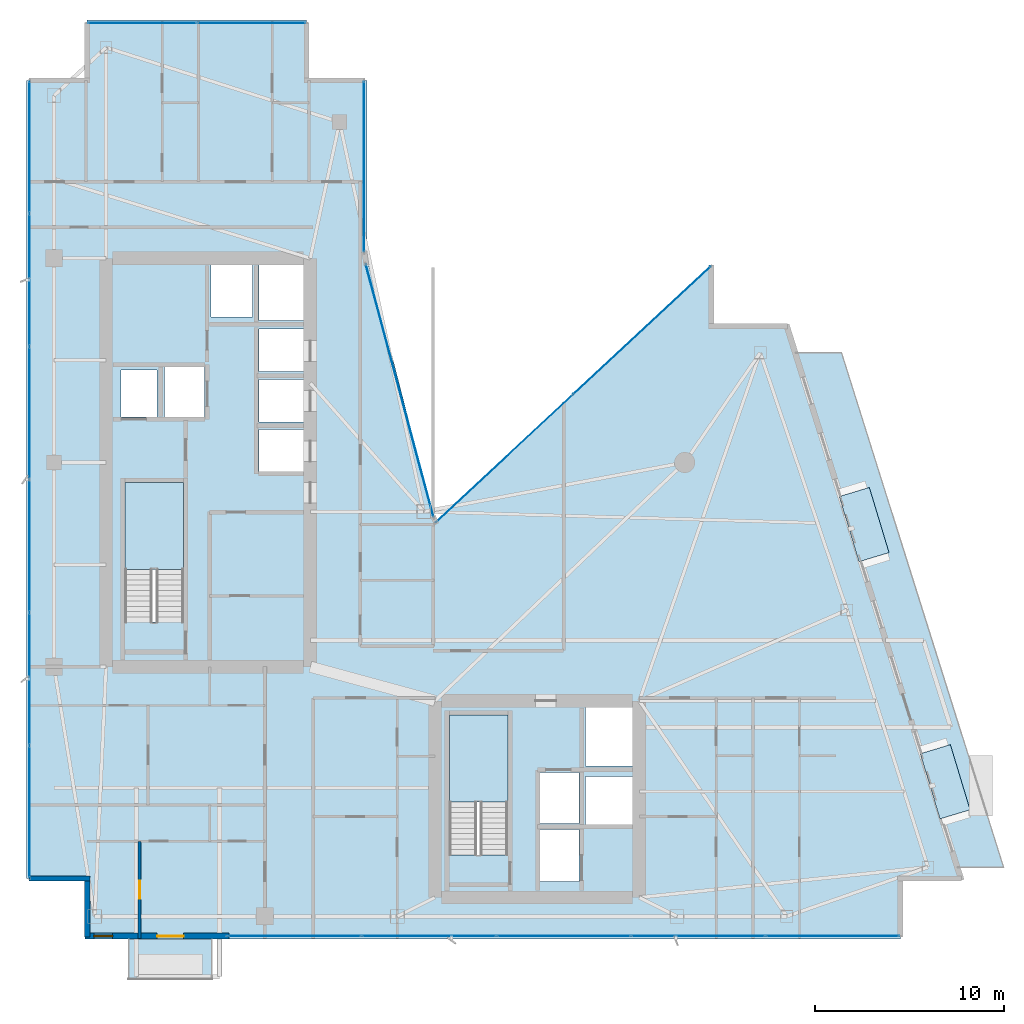
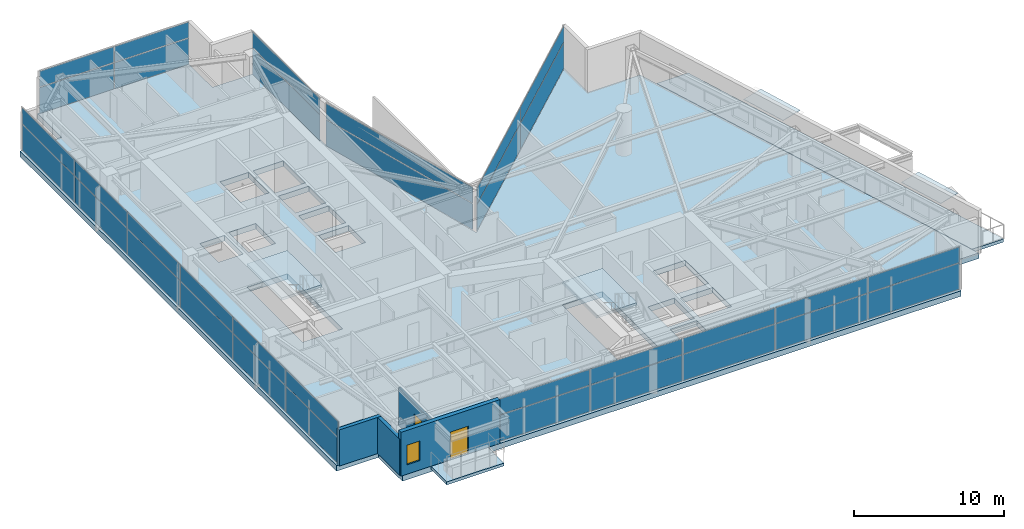
# One storey, part 21 of 28: 36 plates, 5 slabs, 4 walls, 2 doors, 1 window, 3 openings, 8 elements without a shape of their own.
"""IFC4 building model written with IfcOpenShell, lengths in metres."""

from ifc_helpers import new_model, si_unit, direction, frame, frame_2d, origin, origin_2d, place, context, subcontext, project, spatial, polyline, rectangle, outline, extrude, material, layer, layer_set, type_object, element, fill, aggregate, save


model = new_model("IFC4")

# Units and contexts
model_context = context("Model", 3, precision=1e-05, world=origin(), true_north=direction((0.0, 1.0)))
body_context = subcontext(model_context, "Body", "Model", "MODEL_VIEW")
ifc_project = project(units=[si_unit("LENGTHUNIT", "METRE"), si_unit("AREAUNIT", "SQUARE_METRE"), si_unit("VOLUMEUNIT", "CUBIC_METRE"), si_unit("PLANEANGLEUNIT", "RADIAN"), si_unit("MASSUNIT", "GRAM", prefix="KILO")], contexts=[model_context])

# Site, building, storey
site_placement = place(None, origin())
site = spatial("IfcSite", under=ifc_project, at=site_placement, CompositionType="ELEMENT")
building_placement = place(site_placement, origin())
building = spatial("IfcBuilding", under=site, at=building_placement, Name="Calvorn Quay Hotel", CompositionType="ELEMENT")
storey_placement = place(building_placement, frame((0.0, 0.0, 219.300048828125)))
storey = spatial("IfcBuildingStorey", under=building, at=storey_placement, Name="L54", CompositionType="ELEMENT", Elevation=219.300048828125)

# Curtain wall, plates
ifc_material_1 = material(Name="Champagne Bronze Anodised Aluminium and Low-E Glass", Category="aluminium")
ifc_layer_1 = layer(ifc_material_1, 0.219970703125)
ifc_layer_set_1 = layer_set([ifc_layer_1], Name="CW-SYS-Z3")
curtain_wall_type = type_object("IfcCurtainWallType", Name="CW-SYS-Z3", PredefinedType="NOTDEFINED", material=ifc_layer_set_1)
curtain_wall_1_placement = place(storey_placement, origin())
curtain_wall_1 = element("IfcCurtainWall", 1, at=curtain_wall_1_placement, inside=storey, type_object=curtain_wall_type, Name="Tower West Curtain Wall (L54)", PredefinedType="NOTDEFINED")
ifc_material_2 = material(Name="Low-E Laminated Double Glazing", Category="glass")
ifc_layer_2 = layer(ifc_material_2, 0.028076171875)
ifc_layer_set_2 = layer_set([ifc_layer_2], Name="CW-SYS-Z3-PAN")
plate_type_1 = type_object("IfcPlateType", Name="CW-SYS-Z3-PAN", PredefinedType="CURTAIN_PANEL", material=ifc_layer_set_2)
plate_1_placement = place(storey_placement, frame((0.14990234375, 9.131591796875, 0.06005859375), z_axis=(0.0, 0.0, 1.0), x_axis=(0.0, 1.0, 0.0)))
plate_1 = element("IfcPlate", 2, at=plate_1_placement, type_object=plate_type_1, Name="CW-L54-W panel 1.1", PredefinedType="CURTAIN_PANEL", context=body_context, shape_type="SweptSolid", body=[
    extrude(rectangle(XDim=6.943359375, YDim=0.028076171875, at=origin_2d()), origin(), (0.0, 0.0, 1.0), 2.110107421875),
])
plate_2_placement = place(storey_placement, frame((0.14990234375, 9.131591796875, 2.22998046875), z_axis=(0.0, 0.0, 1.0), x_axis=(0.0, 1.0, 0.0)))
plate_2 = element("IfcPlate", 3, at=plate_2_placement, type_object=plate_type_1, Name="CW-L54-W panel 1.2", PredefinedType="CURTAIN_PANEL", context=body_context, shape_type="SweptSolid", body=[
    extrude(rectangle(XDim=6.943359375, YDim=0.028076171875, at=origin_2d()), origin(), (0.0, 0.0, 1.0), 1.27001953125),
])
plate_3_placement = place(storey_placement, frame((0.14990234375, 16.14990234375, 0.06005859375), z_axis=(0.0, 0.0, 1.0), x_axis=(0.0, 1.0, 0.0)))
plate_3 = element("IfcPlate", 4, at=plate_3_placement, type_object=plate_type_1, Name="CW-L54-W panel 2.1", PredefinedType="CURTAIN_PANEL", context=body_context, shape_type="SweptSolid", body=[
    extrude(rectangle(XDim=6.973388671875, YDim=0.028076171875, at=origin_2d()), origin(), (0.0, 0.0, 1.0), 2.110107421875),
])
plate_4_placement = place(storey_placement, frame((0.14990234375, 16.14990234375, 2.22998046875), z_axis=(0.0, 0.0, 1.0), x_axis=(0.0, 1.0, 0.0)))
plate_4 = element("IfcPlate", 5, at=plate_4_placement, type_object=plate_type_1, Name="CW-L54-W panel 2.2", PredefinedType="CURTAIN_PANEL", context=body_context, shape_type="SweptSolid", body=[
    extrude(rectangle(XDim=6.973388671875, YDim=0.028076171875, at=origin_2d()), origin(), (0.0, 0.0, 1.0), 1.27001953125),
])
plate_5_placement = place(storey_placement, frame((0.14990234375, 23.183349609375, 0.06005859375), z_axis=(0.0, 0.0, 1.0), x_axis=(0.0, 1.0, 0.0)))
plate_5 = element("IfcPlate", 6, at=plate_5_placement, type_object=plate_type_1, Name="CW-L54-W panel 3.1", PredefinedType="CURTAIN_PANEL", context=body_context, shape_type="SweptSolid", body=[
    extrude(rectangle(XDim=6.973388671875, YDim=0.028076171875, at=origin_2d()), origin(), (0.0, 0.0, 1.0), 2.110107421875),
])
plate_6_placement = place(storey_placement, frame((0.14990234375, 23.183349609375, 2.22998046875), z_axis=(0.0, 0.0, 1.0), x_axis=(0.0, 1.0, 0.0)))
plate_6 = element("IfcPlate", 7, at=plate_6_placement, type_object=plate_type_1, Name="CW-L54-W panel 3.2", PredefinedType="CURTAIN_PANEL", context=body_context, shape_type="SweptSolid", body=[
    extrude(rectangle(XDim=6.973388671875, YDim=0.028076171875, at=origin_2d()), origin(), (0.0, 0.0, 1.0), 1.27001953125),
])
plate_7_placement = place(storey_placement, frame((0.14990234375, 30.216552734375, 0.06005859375), z_axis=(0.0, 0.0, 1.0), x_axis=(0.0, 1.0, 0.0)))
plate_7 = element("IfcPlate", 8, at=plate_7_placement, type_object=plate_type_1, Name="CW-L54-W panel 4.1", PredefinedType="CURTAIN_PANEL", context=body_context, shape_type="SweptSolid", body=[
    extrude(rectangle(XDim=6.973388671875, YDim=0.028076171875, at=origin_2d()), origin(), (0.0, 0.0, 1.0), 2.110107421875),
])
plate_8_placement = place(storey_placement, frame((0.14990234375, 30.216552734375, 2.22998046875), z_axis=(0.0, 0.0, 1.0), x_axis=(0.0, 1.0, 0.0)))
plate_8 = element("IfcPlate", 9, at=plate_8_placement, type_object=plate_type_1, Name="CW-L54-W panel 4.2", PredefinedType="CURTAIN_PANEL", context=body_context, shape_type="SweptSolid", body=[
    extrude(rectangle(XDim=6.973388671875, YDim=0.028076171875, at=origin_2d()), origin(), (0.0, 0.0, 1.0), 1.27001953125),
])
plate_9_placement = place(storey_placement, frame((0.14990234375, 37.25, 0.06005859375), z_axis=(0.0, 0.0, 1.0), x_axis=(0.0, 1.0, 0.0)))
plate_9 = element("IfcPlate", 10, at=plate_9_placement, type_object=plate_type_1, Name="CW-L54-W panel 5.1", PredefinedType="CURTAIN_PANEL", context=body_context, shape_type="SweptSolid", body=[
    extrude(rectangle(XDim=6.973388671875, YDim=0.028076171875, at=origin_2d()), origin(), (0.0, 0.0, 1.0), 2.110107421875),
])
plate_10_placement = place(storey_placement, frame((0.14990234375, 37.25, 2.22998046875), z_axis=(0.0, 0.0, 1.0), x_axis=(0.0, 1.0, 0.0)))
plate_10 = element("IfcPlate", 11, at=plate_10_placement, type_object=plate_type_1, Name="CW-L54-W panel 5.2", PredefinedType="CURTAIN_PANEL", context=body_context, shape_type="SweptSolid", body=[
    extrude(rectangle(XDim=6.973388671875, YDim=0.028076171875, at=origin_2d()), origin(), (0.0, 0.0, 1.0), 1.27001953125),
])
plate_11_placement = place(storey_placement, frame((0.14990234375, 44.268310546875, 0.06005859375), z_axis=(0.0, 0.0, 1.0), x_axis=(0.0, 1.0, 0.0)))
plate_11 = element("IfcPlate", 12, at=plate_11_placement, type_object=plate_type_1, Name="CW-L54-W panel 6.1", PredefinedType="CURTAIN_PANEL", context=body_context, shape_type="SweptSolid", body=[
    extrude(rectangle(XDim=6.943359375, YDim=0.028076171875, at=origin_2d()), origin(), (0.0, 0.0, 1.0), 2.110107421875),
])
plate_12_placement = place(storey_placement, frame((0.14990234375, 44.268310546875, 2.22998046875), z_axis=(0.0, 0.0, 1.0), x_axis=(0.0, 1.0, 0.0)))
plate_12 = element("IfcPlate", 13, at=plate_12_placement, type_object=plate_type_1, Name="CW-L54-W panel 6.2", PredefinedType="CURTAIN_PANEL", context=body_context, shape_type="SweptSolid", body=[
    extrude(rectangle(XDim=6.943359375, YDim=0.028076171875, at=origin_2d()), origin(), (0.0, 0.0, 1.0), 1.27001953125),
])
aggregate(curtain_wall_1, [plate_1, plate_2, plate_3, plate_4, plate_5, plate_6, plate_7, plate_8, plate_9, plate_10, plate_11, plate_12])

curtain_wall_2_placement = place(storey_placement, origin())
curtain_wall_2 = element("IfcCurtainWall", 14, at=curtain_wall_2_placement, inside=storey, type_object=curtain_wall_type, Name="Tower South Waterfront Curtain Wall (L54)", PredefinedType="NOTDEFINED")
plate_13_placement = place(storey_placement, frame((14.175048828125, 2.550048828125, 0.06005859375), z_axis=(0.0, 0.0, 1.0), x_axis=(1.0, 0.0, 0.0)))
plate_13 = element("IfcPlate", 15, at=plate_13_placement, type_object=plate_type_1, Name="CW-L54-S panel 1.1", PredefinedType="CURTAIN_PANEL", context=body_context, shape_type="SweptSolid", body=[
    extrude(rectangle(XDim=7.030029296875, YDim=0.028076171875, at=origin_2d()), origin(), (0.0, 0.0, 1.0), 2.110107421875),
])
plate_14_placement = place(storey_placement, frame((14.175048828125, 2.550048828125, 2.22998046875), z_axis=(0.0, 0.0, 1.0), x_axis=(1.0, 0.0, 0.0)))
plate_14 = element("IfcPlate", 16, at=plate_14_placement, type_object=plate_type_1, Name="CW-L54-S panel 1.2", PredefinedType="CURTAIN_PANEL", context=body_context, shape_type="SweptSolid", body=[
    extrude(rectangle(XDim=7.030029296875, YDim=0.028076171875, at=origin_2d()), origin(), (0.0, 0.0, 1.0), 1.27001953125),
])
plate_15_placement = place(storey_placement, frame((21.280029296875, 2.550048828125, 0.06005859375), z_axis=(0.0, 0.0, 1.0), x_axis=(1.0, 0.0, 0.0)))
plate_15 = element("IfcPlate", 17, at=plate_15_placement, type_object=plate_type_1, Name="CW-L54-S panel 2.1", PredefinedType="CURTAIN_PANEL", context=body_context, shape_type="SweptSolid", body=[
    extrude(rectangle(XDim=7.06005859375, YDim=0.028076171875, at=origin_2d()), origin(), (0.0, 0.0, 1.0), 2.110107421875),
])
plate_16_placement = place(storey_placement, frame((21.280029296875, 2.550048828125, 2.22998046875), z_axis=(0.0, 0.0, 1.0), x_axis=(1.0, 0.0, 0.0)))
plate_16 = element("IfcPlate", 18, at=plate_16_placement, type_object=plate_type_1, Name="CW-L54-S panel 2.2", PredefinedType="CURTAIN_PANEL", context=body_context, shape_type="SweptSolid", body=[
    extrude(rectangle(XDim=7.06005859375, YDim=0.028076171875, at=origin_2d()), origin(), (0.0, 0.0, 1.0), 1.27001953125),
])
plate_17_placement = place(storey_placement, frame((28.39990234375, 2.550048828125, 0.06005859375), z_axis=(0.0, 0.0, 1.0), x_axis=(1.0, 0.0, 0.0)))
plate_17 = element("IfcPlate", 19, at=plate_17_placement, type_object=plate_type_1, Name="CW-L54-S panel 3.1", PredefinedType="CURTAIN_PANEL", context=body_context, shape_type="SweptSolid", body=[
    extrude(rectangle(XDim=7.06005859375, YDim=0.028076171875, at=origin_2d()), origin(), (0.0, 0.0, 1.0), 2.110107421875),
])
plate_18_placement = place(storey_placement, frame((28.39990234375, 2.550048828125, 2.22998046875), z_axis=(0.0, 0.0, 1.0), x_axis=(1.0, 0.0, 0.0)))
plate_18 = element("IfcPlate", 20, at=plate_18_placement, type_object=plate_type_1, Name="CW-L54-S panel 3.2", PredefinedType="CURTAIN_PANEL", context=body_context, shape_type="SweptSolid", body=[
    extrude(rectangle(XDim=7.06005859375, YDim=0.028076171875, at=origin_2d()), origin(), (0.0, 0.0, 1.0), 1.27001953125),
])
plate_19_placement = place(storey_placement, frame((35.52001953125, 2.550048828125, 0.06005859375), z_axis=(0.0, 0.0, 1.0), x_axis=(1.0, 0.0, 0.0)))
plate_19 = element("IfcPlate", 21, at=plate_19_placement, type_object=plate_type_1, Name="CW-L54-S panel 4.1", PredefinedType="CURTAIN_PANEL", context=body_context, shape_type="SweptSolid", body=[
    extrude(rectangle(XDim=7.06005859375, YDim=0.028076171875, at=origin_2d()), origin(), (0.0, 0.0, 1.0), 2.110107421875),
])
plate_20_placement = place(storey_placement, frame((35.52001953125, 2.550048828125, 2.22998046875), z_axis=(0.0, 0.0, 1.0), x_axis=(1.0, 0.0, 0.0)))
plate_20 = element("IfcPlate", 22, at=plate_20_placement, type_object=plate_type_1, Name="CW-L54-S panel 4.2", PredefinedType="CURTAIN_PANEL", context=body_context, shape_type="SweptSolid", body=[
    extrude(rectangle(XDim=7.06005859375, YDim=0.028076171875, at=origin_2d()), origin(), (0.0, 0.0, 1.0), 1.27001953125),
])
plate_21_placement = place(storey_placement, frame((42.625, 2.550048828125, 0.06005859375), z_axis=(0.0, 0.0, 1.0), x_axis=(1.0, 0.0, 0.0)))
plate_21 = element("IfcPlate", 23, at=plate_21_placement, type_object=plate_type_1, Name="CW-L54-S panel 5.1", PredefinedType="CURTAIN_PANEL", context=body_context, shape_type="SweptSolid", body=[
    extrude(rectangle(XDim=7.030029296875, YDim=0.028076171875, at=origin_2d()), origin(), (0.0, 0.0, 1.0), 2.110107421875),
])
plate_22_placement = place(storey_placement, frame((42.625, 2.550048828125, 2.22998046875), z_axis=(0.0, 0.0, 1.0), x_axis=(1.0, 0.0, 0.0)))
plate_22 = element("IfcPlate", 24, at=plate_22_placement, type_object=plate_type_1, Name="CW-L54-S panel 5.2", PredefinedType="CURTAIN_PANEL", context=body_context, shape_type="SweptSolid", body=[
    extrude(rectangle(XDim=7.030029296875, YDim=0.028076171875, at=origin_2d()), origin(), (0.0, 0.0, 1.0), 1.27001953125),
])
aggregate(curtain_wall_2, [plate_13, plate_14, plate_15, plate_16, plate_17, plate_18, plate_19, plate_20, plate_21, plate_22])

curtain_wall_3_placement = place(storey_placement, origin())
curtain_wall_3 = element("IfcCurtainWall", 25, at=curtain_wall_3_placement, inside=storey, type_object=curtain_wall_type, Name="Inner Court Curtain Wall L54-NE1", PredefinedType="NOTDEFINED")
plate_23_placement = place(storey_placement, frame((32.5390625, 34.58984375, 0.06005859375), z_axis=(0.0, 0.0, 1.0), x_axis=(-0.731721570922, -0.681603655102, 0.0)))
plate_23 = element("IfcPlate", 26, at=plate_23_placement, type_object=plate_type_1, Name="CW-L54-NE1 panel 1.1", PredefinedType="CURTAIN_PANEL", context=body_context, shape_type="SweptSolid", body=[
    extrude(rectangle(XDim=9.886474609375, YDim=0.028076171875, at=origin_2d()), origin(), (0.0, 0.0, 1.0), 2.110107421875),
])
plate_24_placement = place(storey_placement, frame((32.5390625, 34.58984375, 2.22998046875), z_axis=(0.0, 0.0, 1.0), x_axis=(-0.731721570922, -0.681603655102, 0.0)))
plate_24 = element("IfcPlate", 27, at=plate_24_placement, type_object=plate_type_1, Name="CW-L54-NE1 panel 1.2", PredefinedType="CURTAIN_PANEL", context=body_context, shape_type="SweptSolid", body=[
    extrude(rectangle(XDim=9.886474609375, YDim=0.028076171875, at=origin_2d()), origin(), (0.0, 0.0, 1.0), 1.27001953125),
])
plate_25_placement = place(storey_placement, frame((25.260986328125, 27.810302734375, 0.06005859375), z_axis=(0.0, 0.0, 1.0), x_axis=(-0.731721570922, -0.681603655102, 0.0)))
plate_25 = element("IfcPlate", 28, at=plate_25_placement, type_object=plate_type_1, Name="CW-L54-NE1 panel 2.1", PredefinedType="CURTAIN_PANEL", context=body_context, shape_type="SweptSolid", body=[
    extrude(rectangle(XDim=9.886474609375, YDim=0.028076171875, at=origin_2d()), origin(), (0.0, 0.0, 1.0), 2.110107421875),
])
plate_26_placement = place(storey_placement, frame((25.260986328125, 27.810302734375, 2.22998046875), z_axis=(0.0, 0.0, 1.0), x_axis=(-0.731721570922, -0.681603655102, 0.0)))
plate_26 = element("IfcPlate", 29, at=plate_26_placement, type_object=plate_type_1, Name="CW-L54-NE1 panel 2.2", PredefinedType="CURTAIN_PANEL", context=body_context, shape_type="SweptSolid", body=[
    extrude(rectangle(XDim=9.886474609375, YDim=0.028076171875, at=origin_2d()), origin(), (0.0, 0.0, 1.0), 1.27001953125),
])
aggregate(curtain_wall_3, [plate_23, plate_24, plate_25, plate_26])

curtain_wall_4_placement = place(storey_placement, origin())
curtain_wall_4 = element("IfcCurtainWall", 30, at=curtain_wall_4_placement, inside=storey, type_object=curtain_wall_type, Name="Inner Court Curtain Wall L54-IC1", PredefinedType="NOTDEFINED")
plate_27_placement = place(storey_placement, frame((19.72509765625, 31.39990234375, 0.06005859375), z_axis=(0.0, 0.0, 1.0), x_axis=(-0.25877913024, 0.96593652056, 0.0)))
plate_27 = element("IfcPlate", 31, at=plate_27_placement, type_object=plate_type_1, Name="CW-L54-IC1 panel 1.1", PredefinedType="CURTAIN_PANEL", context=body_context, shape_type="SweptSolid", body=[
    extrude(rectangle(XDim=13.814697265625, YDim=0.028076171875, at=origin_2d()), origin(), (0.0, 0.0, 1.0), 2.110107421875),
])
plate_28_placement = place(storey_placement, frame((19.72509765625, 31.39990234375, 2.22998046875), z_axis=(0.0, 0.0, 1.0), x_axis=(-0.25877913024, 0.96593652056, 0.0)))
plate_28 = element("IfcPlate", 32, at=plate_28_placement, type_object=plate_type_1, Name="CW-L54-IC1 panel 1.2", PredefinedType="CURTAIN_PANEL", context=body_context, shape_type="SweptSolid", body=[
    extrude(rectangle(XDim=13.814697265625, YDim=0.028076171875, at=origin_2d()), origin(), (0.0, 0.0, 1.0), 1.27001953125),
])
aggregate(curtain_wall_4, [plate_27, plate_28])

curtain_wall_5_placement = place(storey_placement, origin())
curtain_wall_5 = element("IfcCurtainWall", 33, at=curtain_wall_5_placement, inside=storey, type_object=curtain_wall_type, Name="Inner Court Curtain Wall L54-IC2", PredefinedType="NOTDEFINED")
plate_29_placement = place(storey_placement, frame((17.85009765625, 43.239990234375, 0.06005859375), z_axis=(0.0, 0.0, 1.0), x_axis=(0.0, 1.0, 0.0)))
plate_29 = element("IfcPlate", 34, at=plate_29_placement, type_object=plate_type_1, Name="CW-L54-IC2 panel 1.1", PredefinedType="CURTAIN_PANEL", context=body_context, shape_type="SweptSolid", body=[
    extrude(rectangle(XDim=9.0, YDim=0.028076171875, at=origin_2d()), origin(), (0.0, 0.0, 1.0), 2.110107421875),
])
plate_30_placement = place(storey_placement, frame((17.85009765625, 43.239990234375, 2.22998046875), z_axis=(0.0, 0.0, 1.0), x_axis=(0.0, 1.0, 0.0)))
plate_30 = element("IfcPlate", 35, at=plate_30_placement, type_object=plate_type_1, Name="CW-L54-IC2 panel 1.2", PredefinedType="CURTAIN_PANEL", context=body_context, shape_type="SweptSolid", body=[
    extrude(rectangle(XDim=9.0, YDim=0.028076171875, at=origin_2d()), origin(), (0.0, 0.0, 1.0), 1.27001953125),
])
aggregate(curtain_wall_5, [plate_29, plate_30])

curtain_wall_6_placement = place(storey_placement, origin())
curtain_wall_6 = element("IfcCurtainWall", 36, at=curtain_wall_6_placement, inside=storey, type_object=curtain_wall_type, Name="Inner Court Curtain Wall L54-N1", PredefinedType="NOTDEFINED")
plate_31_placement = place(storey_placement, frame((11.885009765625, 50.85009765625, 0.06005859375), z_axis=(0.0, 0.0, 1.0), x_axis=(-1.0, 0.0, 0.0)))
plate_31 = element("IfcPlate", 37, at=plate_31_placement, type_object=plate_type_1, Name="CW-L54-N1 panel 1.1", PredefinedType="CURTAIN_PANEL", context=body_context, shape_type="SweptSolid", body=[
    extrude(rectangle(XDim=5.7099609375, YDim=0.028076171875, at=origin_2d()), origin(), (0.0, 0.0, 1.0), 2.110107421875),
])
plate_32_placement = place(storey_placement, frame((11.885009765625, 50.85009765625, 2.22998046875), z_axis=(0.0, 0.0, 1.0), x_axis=(-1.0, 0.0, 0.0)))
plate_32 = element("IfcPlate", 38, at=plate_32_placement, type_object=plate_type_1, Name="CW-L54-N1 panel 1.2", PredefinedType="CURTAIN_PANEL", context=body_context, shape_type="SweptSolid", body=[
    extrude(rectangle(XDim=5.7099609375, YDim=0.028076171875, at=origin_2d()), origin(), (0.0, 0.0, 1.0), 1.27001953125),
])
plate_33_placement = place(storey_placement, frame((6.114990234375, 50.85009765625, 0.06005859375), z_axis=(0.0, 0.0, 1.0), x_axis=(-1.0, 0.0, 0.0)))
plate_33 = element("IfcPlate", 39, at=plate_33_placement, type_object=plate_type_1, Name="CW-L54-N1 panel 2.1", PredefinedType="CURTAIN_PANEL", context=body_context, shape_type="SweptSolid", body=[
    extrude(rectangle(XDim=5.7099609375, YDim=0.028076171875, at=origin_2d()), origin(), (0.0, 0.0, 1.0), 2.110107421875),
])
plate_34_placement = place(storey_placement, frame((6.114990234375, 50.85009765625, 2.22998046875), z_axis=(0.0, 0.0, 1.0), x_axis=(-1.0, 0.0, 0.0)))
plate_34 = element("IfcPlate", 40, at=plate_34_placement, type_object=plate_type_1, Name="CW-L54-N1 panel 2.2", PredefinedType="CURTAIN_PANEL", context=body_context, shape_type="SweptSolid", body=[
    extrude(rectangle(XDim=5.7099609375, YDim=0.028076171875, at=origin_2d()), origin(), (0.0, 0.0, 1.0), 1.27001953125),
])
aggregate(curtain_wall_6, [plate_31, plate_32, plate_33, plate_34])

# Plates
ifc_material_3 = material(Name="Tempered Laminated Low-E Glass", Category="glass")
ifc_layer_3 = layer(ifc_material_3, 0.0380859375)
ifc_layer_set_3 = layer_set([ifc_layer_3], Name="PLT-HOOD-GLAZ")
plate_type_2 = type_object("IfcPlateType", Name="PLT-HOOD-GLAZ", PredefinedType="SHEET", material=ifc_layer_set_3)
for number, where, z_axis, x_axis, name in (
    (41, (48.573974609375, 10.718017578125, 2.466796875), (0.0, 0.0, 1.0), (0.957319497532, 0.289031796944, 0.0), "Angled Glass Bay Hood Panel L54-HOOD-1"),
    (42, (44.2890625, 24.318115234375, 2.466796875), (0.0, 0.0, 1.0), (0.957319497532, 0.289031796944, 0.0), "Angled Glass Bay Hood Panel L54-HOOD-3"),
):
    element("IfcPlate", number, at=place(storey_placement, frame(where, z_axis=z_axis, x_axis=x_axis)), inside=storey, type_object=plate_type_2, Name=name, PredefinedType="SHEET", context=body_context, shape_type="SweptSolid", body=[
        extrude(rectangle(XDim=1.659912109375, YDim=3.60009765625, at=origin_2d()), origin(), (0.0, 0.0, 1.0), 0.0380859375),
    ])

# Slab
ifc_material_4 = material(Name="Concrete C40", Category="concrete")
ifc_layer_4 = layer(ifc_material_4, 0.239990234375)
ifc_layer_set_4 = layer_set([ifc_layer_4], Name="SLB-BALCONY-220")
slab_type_1 = type_object("IfcSlabType", Name="SLB-BALCONY-220", PredefinedType="FLOOR", material=ifc_layer_set_4)
slab_1_placement = place(storey_placement, frame((0.0, 0.0, -0.239990234375)))
element("IfcSlab", 43, at=slab_1_placement, inside=storey, type_object=slab_type_1, Name="Tree Balcony Slab L54-BALC-S", PredefinedType="FLOOR", context=body_context, shape_type="SweptSolid", body=[
    extrude(outline(polyline([(5.39990234375, 0.2900390625), (9.800048828125, 0.2900390625), (9.800048828125, 2.389892578125), (5.39990234375, 2.389892578125), (5.39990234375, 0.2900390625)])), origin(), (0.0, 0.0, 1.0), 0.239990234375),
])

# Stair, slab
ifc_material_5 = material(Name="Concrete C40", Category="concrete")
stair_type = type_object("IfcStairType", Name="STR-CORE-DOGLEG", PredefinedType="HALF_TURN_STAIR", material=ifc_material_5)
stair_1_placement = place(storey_placement, origin())
stair_1 = element("IfcStair", 44, at=stair_1_placement, inside=storey, type_object=stair_type, Name="L54 ST-W", PredefinedType="HALF_TURN_STAIR")
ifc_material_6 = material(Name="Concrete C40", Category="concrete")
ifc_layer_5 = layer(ifc_material_6, 0.199951171875)
ifc_layer_set_5 = layer_set([ifc_layer_5], Name="SLB-STAIR-LANDING-200")
slab_type_2 = type_object("IfcSlabType", Name="SLB-STAIR-LANDING-200", PredefinedType="LANDING", material=ifc_layer_set_5)
slab_2_placement = place(storey_placement, frame((0.0, 0.0, 1.699951171875)))
slab_2 = element("IfcSlab", 45, at=slab_2_placement, type_object=slab_type_2, Name="ST-W landing 1", PredefinedType="LANDING", context=body_context, shape_type="SweptSolid", body=[
    extrude(outline(polyline([(8.300048828125, 21.949951171875), (8.300048828125, 26.550048828125), (5.199951171875, 26.550048828125), (5.199951171875, 21.949951171875), (8.300048828125, 21.949951171875)])), origin(), (0.0, 0.0, 1.0), 0.199951171875),
])
aggregate(stair_1, [slab_2])

stair_2_placement = place(storey_placement, origin())
stair_2 = element("IfcStair", 46, at=stair_2_placement, inside=storey, type_object=stair_type, Name="L54 ST-E", PredefinedType="HALF_TURN_STAIR")
slab_3_placement = place(storey_placement, frame((0.0, 0.0, 1.699951171875)))
slab_3 = element("IfcSlab", 47, at=slab_3_placement, type_object=slab_type_2, Name="ST-E landing 1", PredefinedType="LANDING", context=body_context, shape_type="SweptSolid", body=[
    extrude(outline(polyline([(25.449951171875, 9.64990234375), (25.449951171875, 14.25), (22.35009765625, 14.25), (22.35009765625, 9.64990234375), (25.449951171875, 9.64990234375)])), origin(), (0.0, 0.0, 1.0), 0.199951171875),
])
aggregate(stair_2, [slab_3])

# Slabs
ifc_material_7 = material(Name="Concrete C40", Category="concrete")
ifc_layer_6 = layer(ifc_material_7, 0.260009765625)
ifc_layer_set_6 = layer_set([ifc_layer_6], Name="SLB-TERRACE-260")
slab_type_3 = type_object("IfcSlabType", Name="SLB-TERRACE-260", PredefinedType="ROOF", material=ifc_layer_set_6)
slab_4_placement = place(storey_placement, frame((0.0, 0.0, -0.260009765625)))
element("IfcSlab", 48, at=slab_4_placement, inside=storey, type_object=slab_type_3, Name="Sawtooth Setback Terrace Slab L54", PredefinedType="ROOF", context=body_context, shape_type="SweptSolid", body=[
    extrude(outline(polyline([(49.23095703125, 6.199951171875), (51.660888671875, 6.199951171875), (43.091064453125, 33.39990234375), (40.660888671875, 33.39990234375), (49.23095703125, 6.199951171875)])), origin(), (0.0, 0.0, 1.0), 0.260009765625),
])
ifc_material_8 = material(Name="Concrete C50", Category="concrete")
ifc_layer_7 = layer(ifc_material_8, 0.449951171875)
ifc_layer_set_7 = layer_set([ifc_layer_7], Name="SLB-XFER-450")
slab_type_4 = type_object("IfcSlabType", Name="SLB-XFER-450", PredefinedType="FLOOR", material=ifc_layer_set_7)
slab_5_placement = place(storey_placement, frame((0.0, 0.0, -0.449951171875)))
element("IfcSlab", 49, at=slab_5_placement, inside=storey, type_object=slab_type_4, Name="L54 Structural Floor Slab", PredefinedType="FLOOR", context=body_context, shape_type="SweptSolid", body=[
    extrude(outline(polyline([(0.0, 5.60009765625), (3.199951171875, 5.60009765625), (3.199951171875, 2.39990234375), (46.199951171875, 2.39990234375), (46.199951171875, 5.60009765625), (49.39990234375, 5.60009765625), (40.199951171875, 34.800048828125), (36.199951171875, 34.800048828125), (36.199951171875, 38.0), (21.60009765625, 24.39990234375), (18.0, 38.39990234375), (18.0, 47.800048828125), (14.800048828125, 47.800048828125), (14.800048828125, 51.0), (3.199951171875, 51.0), (3.199951171875, 47.800048828125), (0.0, 47.800048828125), (0.0, 5.60009765625)]), holes=[polyline([(5.199951171875, 19.156005859375), (8.300048828125, 19.156005859375), (8.300048828125, 26.550048828125), (5.199951171875, 26.550048828125), (5.199951171875, 19.156005859375)]), polyline([(22.35009765625, 6.85595703125), (25.449951171875, 6.85595703125), (25.449951171875, 14.25), (22.35009765625, 14.25), (22.35009765625, 6.85595703125)]), polyline([(5.0, 30.0), (6.89990234375, 30.0), (6.89990234375, 32.5), (5.0, 32.5), (5.0, 30.0)]), polyline([(7.300048828125, 30.0), (9.39990234375, 30.0), (9.39990234375, 32.64990234375), (7.300048828125, 32.64990234375), (7.300048828125, 30.0)]), polyline([(27.159912109375, 8.5), (29.2099609375, 8.5), (29.2099609375, 11.199951171875), (27.159912109375, 11.199951171875), (27.159912109375, 8.5)]), polyline([(27.159912109375, 5.449951171875), (29.2099609375, 5.449951171875), (29.2099609375, 8.199951171875), (27.159912109375, 8.199951171875), (27.159912109375, 5.449951171875)]), polyline([(12.300048828125, 27.10009765625), (14.639892578125, 27.10009765625), (14.639892578125, 29.35009765625), (12.300048828125, 29.35009765625), (12.300048828125, 27.10009765625)]), polyline([(12.300048828125, 29.75), (14.639892578125, 29.75), (14.639892578125, 32.0), (12.300048828125, 32.0), (12.300048828125, 29.75)]), polyline([(12.300048828125, 32.39990234375), (14.639892578125, 32.39990234375), (14.639892578125, 34.64990234375), (12.300048828125, 34.64990234375), (12.300048828125, 32.39990234375)]), polyline([(12.300048828125, 35.10009765625), (14.639892578125, 35.10009765625), (14.639892578125, 38.0400390625), (12.300048828125, 38.0400390625), (12.300048828125, 35.10009765625)]), polyline([(9.75, 35.300048828125), (11.949951171875, 35.300048828125), (11.949951171875, 38.0400390625), (9.75, 38.0400390625), (9.75, 35.300048828125)]), polyline([(29.550048828125, 11.550048828125), (32.0400390625, 11.550048828125), (32.0400390625, 14.639892578125), (29.550048828125, 14.639892578125), (29.550048828125, 11.550048828125)]), polyline([(29.550048828125, 8.449951171875), (32.0400390625, 8.449951171875), (32.0400390625, 11.0), (29.550048828125, 11.0), (29.550048828125, 8.449951171875)])]), origin(), (0.0, 0.0, 1.0), 0.449951171875),
])

# Wall, openings, door, window
ifc_material_9 = material(Name="Concrete C40", Category="concrete")
ifc_layer_8 = layer(ifc_material_9, 0.320068359375)
ifc_layer_set_8 = layer_set([ifc_layer_8], Name="WL-EXT-SPANDREL-320")
wall_type_1 = type_object("IfcWallType", Name="WL-EXT-SPANDREL-320", PredefinedType="SOLIDWALL", material=ifc_layer_set_8)
wall_1_placement = place(storey_placement, frame((3.10009765625, 2.56005859375, 0.0), z_axis=(0.0, 0.0, 1.0), x_axis=(1.0, 0.0, 0.0)))
wall_1 = element("IfcWall", 50, at=wall_1_placement, inside=storey, type_object=wall_type_1, Name="South Balcony Exterior Wall (L54)", PredefinedType="SOLIDWALL", context=body_context, shape_type="SweptSolid", body=[
    extrude(rectangle(XDim=7.599853515625, YDim=0.320068359375, at=frame_2d((3.7998046875, 0.0))), origin(), (0.0, 0.0, 1.0), 3.56005859375),
])
opening_1_placement = place(wall_1_placement, frame((0.449951171875, 0.0, 0.75)))
opening_1 = element("IfcOpeningElement", 51, at=opening_1_placement, cuts=wall_1, Name="Opening WSB-L54-1", PredefinedType="OPENING", context=body_context, shape_type="SweptSolid", body=[
    extrude(rectangle(XDim=1.0, YDim=1.60009765625, at=frame_2d((0.5, 0.800048828125))), frame((0.0, 0.169921875, 0.0), z_axis=(0.0, -1.0, 0.0), x_axis=(1.0, 0.0, 0.0)), (0.0, 0.0, 1.0), 0.340087890625),
])
opening_2_placement = place(wall_1_placement, frame((3.800048828125, 0.0, 0.0)))
opening_2 = element("IfcOpeningElement", 52, at=opening_2_placement, cuts=wall_1, Name="Opening DB-L54-1", PredefinedType="OPENING", context=body_context, shape_type="SweptSolid", body=[
    extrude(rectangle(XDim=1.39990234375, YDim=2.25, at=frame_2d((0.699951171875, 1.125))), frame((0.0, 0.169921875, 0.0), z_axis=(0.0, -1.0, 0.0), x_axis=(1.0, 0.0, 0.0)), (0.0, 0.0, 1.0), 0.340087890625),
])
ifc_material_10 = material(Name="Typhoon-Rated Low-E Aluminium Terrace Door", Category="aluminium")
door_type_1 = type_object("IfcDoorType", Name="DR-BALCONY-GLZ-1400", OperationType="NOTDEFINED", PredefinedType="DOOR", material=ifc_material_10)
door_1_placement = place(opening_2_placement, origin())
door_1 = element("IfcDoor", 53, at=door_1_placement, inside=storey, type_object=door_type_1, Name="Tree Balcony Terrace Door L54-BALC-S", OperationType="SINGLE_SWING_LEFT", OverallHeight=2.25, OverallWidth=1.39990234375, PredefinedType="DOOR", context=body_context, shape_type="SweptSolid", body=[
    extrude(rectangle(XDim=1.39990234375, YDim=2.25, at=frame_2d((0.699951171875, 1.125))), frame((0.0, 0.02490234375, 0.0), z_axis=(0.0, -1.0, 0.0), x_axis=(1.0, 0.0, 0.0)), (0.0, 0.0, 1.0), 0.050048828125),
])
fill(opening_2, door_1)
ifc_material_11 = material(Name="Self-Closing Class B Side Fire Window")
window_type = type_object("IfcWindowType", Name="WIN-REFUGE-NARROW-1000x1600", PartitioningType="SINGLE_PANEL", PredefinedType="WINDOW", material=ifc_material_11)
window_placement = place(opening_1_placement, origin())
window = element("IfcWindow", 54, at=window_placement, inside=storey, type_object=window_type, Name="South Waterfront Side Window (L54)", OverallHeight=1.60009765625, OverallWidth=1.0, PartitioningType="SINGLE_PANEL", PredefinedType="WINDOW", context=body_context, shape_type="SweptSolid", body=[
    extrude(rectangle(XDim=1.0, YDim=1.60009765625, at=frame_2d((0.5, 0.800048828125))), frame((0.0, 0.030029296875, 0.0), z_axis=(0.0, -1.0, 0.0), x_axis=(1.0, 0.0, 0.0)), (0.0, 0.0, 1.0), 0.06005859375),
])
fill(opening_1, window)

# Walls
wall_2_placement = place(storey_placement, frame((0.1201171875, 5.60009765625, 0.0), z_axis=(0.0, 0.0, 1.0), x_axis=(1.0, 0.0, 0.0)))
element("IfcWall", 55, at=wall_2_placement, inside=storey, type_object=wall_type_1, Name="Notched Corner Spandrel L54-SW1", PredefinedType="SOLIDWALL", context=body_context, shape_type="SweptSolid", body=[
    extrude(rectangle(XDim=3.219970703125, YDim=0.280029296875, at=frame_2d((1.60986328125, 0.0))), origin(), (0.0, 0.0, 1.0), 2.93994140625),
])
wall_3_placement = place(storey_placement, frame((3.199951171875, 5.4599609375, 0.0), z_axis=(0.0, 0.0, 1.0), x_axis=(0.0, -1.0, 0.0)))
element("IfcWall", 56, at=wall_3_placement, inside=storey, type_object=wall_type_1, Name="Notched Corner Spandrel L54-SW2", PredefinedType="SOLIDWALL", context=body_context, shape_type="SweptSolid", body=[
    extrude(rectangle(XDim=2.93994140625, YDim=0.280029296875, at=frame_2d((1.469970703125, 0.0))), origin(), (0.0, 0.0, 1.0), 2.93994140625),
])

# Wall, opening, door
ifc_material_12 = material(Name="Double-Stud Acoustic Gypsum Partition")
ifc_layer_9 = layer(ifc_material_12, 0.159912109375)
ifc_layer_set_9 = layer_set([ifc_layer_9], Name="WL-INTERSUITE-160")
wall_type_2 = type_object("IfcWallType", Name="WL-INTERSUITE-160", PredefinedType="PARTITIONING", material=ifc_layer_set_9)
wall_4_placement = place(storey_placement, frame((5.97998046875, 2.43994140625, 0.0), z_axis=(0.0, 0.0, 1.0), x_axis=(0.0, 1.0, 0.0)))
wall_4 = element("IfcWall", 57, at=wall_4_placement, inside=storey, type_object=wall_type_2, Name="Partition Wall L54-WL-U01-MSP", PredefinedType="PARTITIONING", context=body_context, shape_type="SweptSolid", body=[
    extrude(rectangle(XDim=5.130126953125, YDim=0.159912109375, at=frame_2d((2.56494140625, 0.0))), origin(), (0.0, 0.0, 1.0), 3.08984375),
])
opening_3_placement = place(wall_4_placement, frame((2.090087890625, 0.0, 0.0)))
opening_3 = element("IfcOpeningElement", 58, at=opening_3_placement, cuts=wall_4, Name="Opening D-L54-M01", PredefinedType="OPENING", context=body_context, shape_type="SweptSolid", body=[
    extrude(rectangle(XDim=0.9599609375, YDim=2.199951171875, at=frame_2d((0.47998046875, 1.10009765625))), frame((0.0, 0.08984375, 0.0), z_axis=(0.0, -1.0, 0.0), x_axis=(1.0, 0.0, 0.0)), (0.0, 0.0, 1.0), 0.179931640625),
])
ifc_material_13 = material(Name="Solid Timber Internal Suite Door", Category="wood")
door_type_2 = type_object("IfcDoorType", Name="DR-SUITE-INT-960", OperationType="NOTDEFINED", PredefinedType="DOOR", material=ifc_material_13)
door_2_placement = place(opening_3_placement, origin())
door_2 = element("IfcDoor", 59, at=door_2_placement, inside=storey, type_object=door_type_2, Name="Suite Bedroom Door 01", OperationType="SINGLE_SWING_LEFT", OverallHeight=2.199951171875, OverallWidth=0.9599609375, PredefinedType="DOOR", context=body_context, shape_type="SweptSolid", body=[
    extrude(rectangle(XDim=0.9599609375, YDim=2.199951171875, at=frame_2d((0.47998046875, 1.10009765625))), frame((0.0, 0.02490234375, 0.0), z_axis=(0.0, -1.0, 0.0), x_axis=(1.0, 0.0, 0.0)), (0.0, 0.0, 1.0), 0.050048828125),
])
fill(opening_3, door_2)

save(model, "model.ifc")
